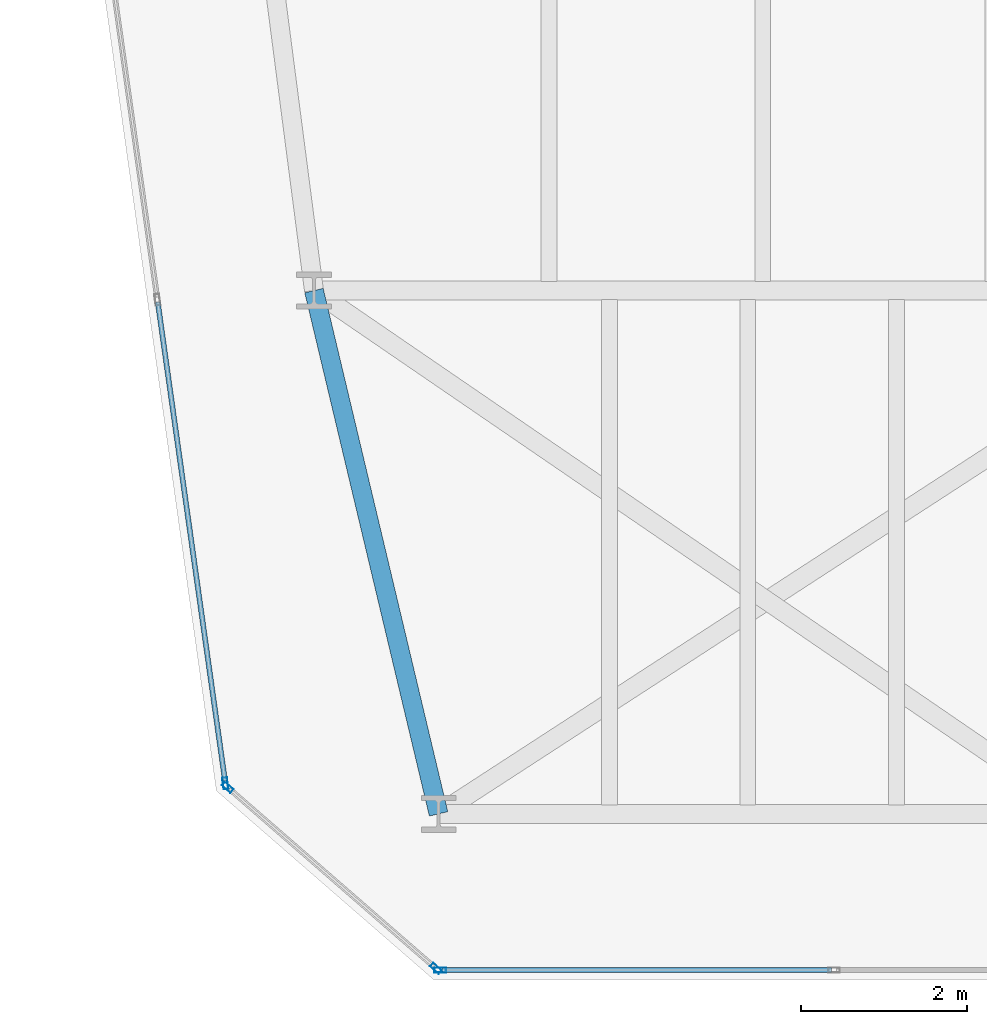
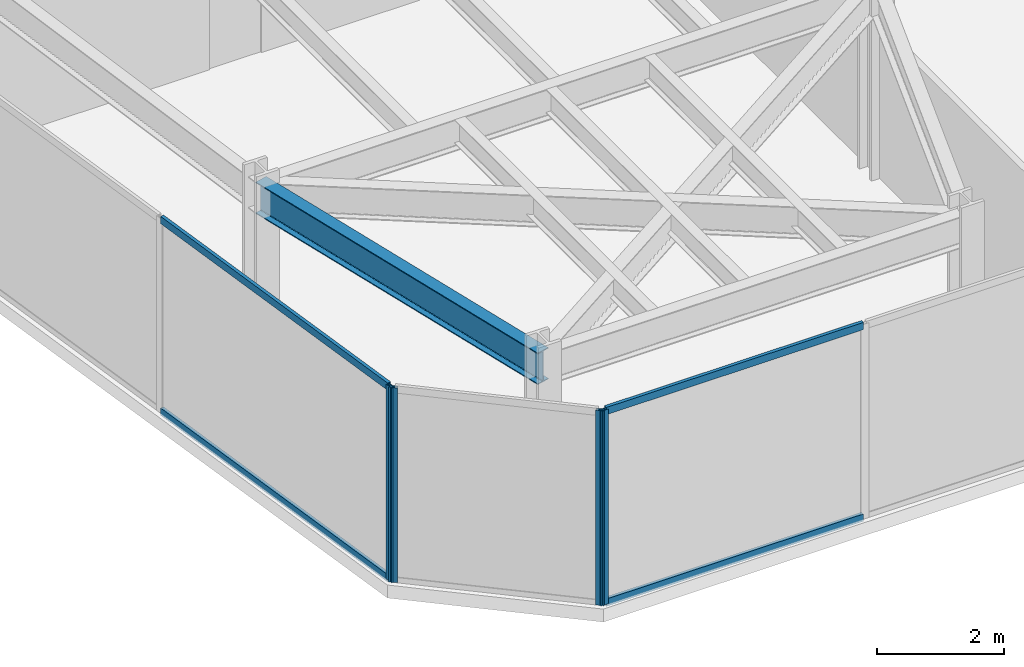
# One storey, part 2 of 26: 8 members, 1 beam, 3 elements without a shape of their own.
"""IFC4 building model written with IfcOpenShell, lengths in metres."""

import ifcopenshell
import ifcopenshell.guid

model = None  # the IFC model being written
_history = None  # IfcOwnerHistory: only IFC2X3 demands one
_inside = {}  # id of a spatial element -> (the spatial element, [elements in it])
_under = {}  # id of a project, library or spatial element -> (it, [spatial elements below it])
_declared = {}  # id of a project -> (the project, [libraries it declares])
_typed = {}  # id of a type object -> (the type object, [elements of that type])
_made_of = {}  # id of a material, layer set ... -> (it, [elements and type objects made of it])


def new_model(schema):
    """Start an empty IFC model of exactly this schema.

    Asked for "IFC4X3", IfcOpenShell would pick the latest addendum, in which some entities
    have other attributes; the version numbers below select the first issue.
    IFC2X3 requires an IfcOwnerHistory on every rooted entity: one is made here for all.
    """
    global model, _history
    if schema == "IFC4X3":
        model = ifcopenshell.file(schema_version=(4, 3, 0, 0))
    else:
        model = ifcopenshell.file(schema=schema)
    _inside.clear()
    _under.clear()
    _declared.clear()
    _typed.clear()
    _made_of.clear()
    _history = None
    if model.schema == "IFC2X3":
        org = make("IfcOrganization", Name="unknown")
        user = make(
            "IfcPersonAndOrganization",
            ThePerson=make("IfcPerson", FamilyName="unknown"),
            TheOrganization=org,
        )
        app = make(
            "IfcApplication",
            ApplicationDeveloper=org,
            Version="unknown",
            ApplicationFullName="unknown",
            ApplicationIdentifier="unknown",
        )
        _history = make(
            "IfcOwnerHistory",
            OwningUser=user,
            OwningApplication=app,
            ChangeAction="ADDED",
            CreationDate=0,
        )
    return model


def make(cls, **values):
    """One entity of the class cls with the attributes given. An attribute that is None is left unset."""
    return model.create_entity(
        cls, **{name: value for name, value in values.items() if value is not None}
    )


def rooted(cls, **values):
    """An entity with a GlobalId (a new one), such as an element, a storey or a relation."""
    return make(cls, GlobalId=ifcopenshell.guid.new(), OwnerHistory=_history, **values)


def si_unit(unit_type, name, prefix=None):
    """IfcSIUnit, for example si_unit("LENGTHUNIT", "METRE", prefix="MILLI")."""
    return make("IfcSIUnit", UnitType=unit_type, Prefix=prefix, Name=name)


def assignment(units):
    """IfcUnitAssignment: the units of a project."""
    return None if units is None else make("IfcUnitAssignment", Units=units)


def point(xyz):
    """IfcCartesianPoint."""
    return None if xyz is None else make("IfcCartesianPoint", Coordinates=xyz)


def direction(xyz):
    """IfcDirection."""
    return None if xyz is None else make("IfcDirection", DirectionRatios=xyz)


def frame(location, z_axis=None, x_axis=None):
    """IfcAxis2Placement3D, a coordinate frame: its origin and axes. An axis left out is left unset."""
    return make(
        "IfcAxis2Placement3D",
        Location=point(location),
        Axis=direction(z_axis),
        RefDirection=direction(x_axis),
    )


def frame_2d(location, x_axis=None):
    """IfcAxis2Placement2D, a coordinate frame in the plane: its origin and x axis."""
    return make(
        "IfcAxis2Placement2D", Location=point(location), RefDirection=direction(x_axis)
    )


def origin():
    """The frame at (0, 0, 0) with its axes left unset."""
    return frame((0.0, 0.0, 0.0))


def origin_2d():
    """The frame at (0, 0) in the plane with its x axis left unset."""
    return frame_2d((0.0, 0.0))


def place(relative_to, where):
    """IfcLocalPlacement: puts the frame where relative to a parent placement (None: the world)."""
    return make(
        "IfcLocalPlacement", PlacementRelTo=relative_to, RelativePlacement=where
    )


def context(
    kind, dimensions, precision=None, world=None, true_north=None, identifier=None
):
    """IfcGeometricRepresentationContext, for example the 3D "Model" context."""
    return make(
        "IfcGeometricRepresentationContext",
        ContextIdentifier=identifier,
        ContextType=kind,
        CoordinateSpaceDimension=dimensions,
        Precision=precision,
        WorldCoordinateSystem=world,
        TrueNorth=true_north,
    )


def subcontext(parent, identifier, kind, view, scale=None):
    """IfcGeometricRepresentationSubContext, for example "Body" below "Model"."""
    return make(
        "IfcGeometricRepresentationSubContext",
        ContextIdentifier=identifier,
        ContextType=kind,
        ParentContext=parent,
        TargetScale=scale,
        TargetView=view,
    )


def project(units=None, contexts=None):
    """IfcProject with its units and contexts."""
    return rooted(
        "IfcProject",
        Name="project",
        RepresentationContexts=contexts,
        UnitsInContext=assignment(units),
    )


def spatial(cls, under=None, at=None, **own):
    """A site, building, storey or space (cls), placed at a placement, below another one or the project."""
    s = rooted(cls, ObjectPlacement=at, **own)
    if under is not None:
        _under.setdefault(under.id(), (under, []))[1].append(s)
    return s


def profile(cls, at=None, kind="AREA", **sizes):
    """A parametric profile (cls). Its sizes go by their IFC names, for example OverallWidth=200.0."""
    return make(cls, ProfileType=kind, Position=at, **sizes)


def hollow_rectangle(**sizes):
    """IfcRectangleHollowProfileDef."""
    return profile("IfcRectangleHollowProfileDef", **sizes)


def i_section(**sizes):
    """IfcIShapeProfileDef."""
    return profile("IfcIShapeProfileDef", **sizes)


def extrude(swept, where, along, depth):
    """IfcExtrudedAreaSolid: the profile swept, set in the frame where, extruded along a direction by depth."""
    return make(
        "IfcExtrudedAreaSolid",
        SweptArea=swept,
        Position=where,
        ExtrudedDirection=direction(along),
        Depth=depth,
    )


def shape(context_of_items, identifier, shape_type, items):
    """IfcShapeRepresentation: the items that make up one representation, for example the "Body"."""
    return make(
        "IfcShapeRepresentation",
        ContextOfItems=context_of_items,
        RepresentationIdentifier=identifier,
        RepresentationType=shape_type,
        Items=items,
    )


def material(Name=None, Category=None):
    """IfcMaterial."""
    return make("IfcMaterial", Name=Name, Category=Category)


def layer(
    of_material, thickness, ventilated=None, Name=None, Category=None, Priority=None
):
    """IfcMaterialLayer: one layer of a wall or slab, of a material (None: an air gap)."""
    return make(
        "IfcMaterialLayer",
        Material=of_material,
        LayerThickness=thickness,
        IsVentilated=ventilated,
        Name=Name,
        Category=Category,
        Priority=Priority,
    )


def layer_set(layers, Name=None):
    """IfcMaterialLayerSet."""
    return make("IfcMaterialLayerSet", MaterialLayers=layers, LayerSetName=Name)


def material_profile(
    of_material, cross_section, Name=None, Category=None, Priority=None
):
    """IfcMaterialProfile: a cross section and its material."""
    return make(
        "IfcMaterialProfile",
        Name=Name,
        Material=of_material,
        Profile=cross_section,
        Priority=Priority,
        Category=Category,
    )


def profile_set(profiles, Name=None, composite=None):
    """IfcMaterialProfileSet."""
    return make(
        "IfcMaterialProfileSet",
        Name=Name,
        MaterialProfiles=profiles,
        CompositeProfile=composite,
    )


def made_of(thing, what):
    """Note that an element or type object is made of a material, layer set ...; save() writes the relation."""
    if what is not None:
        _made_of.setdefault(what.id(), (what, []))[1].append(thing)
    return thing


def type_object(cls, material=None, **own):
    """A type object (cls), such as IfcWallType, which elements share."""
    return made_of(rooted(cls, **own), material)


def element(
    cls,
    number,
    at=None,
    inside=None,
    cuts=None,
    type_object=None,
    material=None,
    context=None,
    identifier="Body",
    shape_type=None,
    held_by="IfcProductDefinitionShape",
    body=None,
    shapes=None,
    **own,
):
    """One element of the class cls, such as IfcWall. Its Tag is "e" and its number.

    at: its placement. inside: the storey or other place that contains it. cuts: it is an
    opening in that element (IfcRelVoidsElement). A single representation is given by context,
    identifier, shape_type and body (its items); several are given by shapes. held_by: the class
    of the entity that holds the representations. save() writes the other relations.
    """
    e = rooted(cls, Tag="e%d" % number, ObjectPlacement=at, **own)
    if body is not None:
        shapes = [shape(context, identifier, shape_type, body)]
    if shapes is not None:
        e.Representation = make(held_by, Representations=shapes)
    if inside is not None:
        _inside.setdefault(inside.id(), (inside, []))[1].append(e)
    if cuts is not None:
        rooted(
            "IfcRelVoidsElement", RelatingBuildingElement=cuts, RelatedOpeningElement=e
        )
    if type_object is not None:
        _typed.setdefault(type_object.id(), (type_object, []))[1].append(e)
    return made_of(e, material)


def aggregate(whole, parts):
    """IfcRelAggregates: a whole, such as a stair, and the parts it consists of."""
    return rooted("IfcRelAggregates", RelatingObject=whole, RelatedObjects=parts)


def save(model, path):
    """Write the relations noted so far, then the file.

    IfcRelAggregates (storeys below a building ...), IfcRelContainedInSpatialStructure (elements
    in a storey), IfcRelDefinesByType, IfcRelAssociatesMaterial and IfcRelDeclares: one each for
    every whole, place, type object, material and project.
    """
    for whole, parts in _under.values():
        aggregate(whole, parts)
    for where, things in _inside.values():
        rooted(
            "IfcRelContainedInSpatialStructure",
            RelatedElements=things,
            RelatingStructure=where,
        )
    for kind, things in _typed.values():
        rooted("IfcRelDefinesByType", RelatedObjects=things, RelatingType=kind)
    for what, things in _made_of.values():
        rooted("IfcRelAssociatesMaterial", RelatedObjects=things, RelatingMaterial=what)
    for by, libraries in _declared.values():
        rooted("IfcRelDeclares", RelatingContext=by, RelatedDefinitions=libraries)
    model.write(path)


model = new_model("IFC4")

# Units and contexts
model_context = context("Model", 3, precision=1e-05, world=origin(), true_north=direction((0.0, 1.0)))
body_context = subcontext(model_context, "Body", "Model", "MODEL_VIEW")
ifc_project = project(units=[si_unit("LENGTHUNIT", "METRE"), si_unit("AREAUNIT", "SQUARE_METRE"), si_unit("VOLUMEUNIT", "CUBIC_METRE"), si_unit("PLANEANGLEUNIT", "RADIAN"), si_unit("MASSUNIT", "GRAM", prefix="KILO")], contexts=[model_context])

# Site, building, storey
site_placement = place(None, origin())
site = spatial("IfcSite", under=ifc_project, at=site_placement, CompositionType="ELEMENT")
building_placement = place(site_placement, origin())
building = spatial("IfcBuilding", under=site, at=building_placement, Name="Kravanh Interchange Tower", CompositionType="ELEMENT")
storey_placement = place(building_placement, frame((0.0, 0.0, 144.0)))
storey = spatial("IfcBuildingStorey", under=building, at=storey_placement, Name="L34", CompositionType="ELEMENT", Elevation=144.0)

# Curtain wall, member
ifc_material_1 = material(Name="Anodised Bronze Aluminium", Category="aluminium")
ifc_layer = layer(ifc_material_1, 0.179931640625)
ifc_layer_set = layer_set([ifc_layer], Name="Unitised Curtain Wall System CW-Z2 Mid Office")
curtain_wall_type = type_object("IfcCurtainWallType", Name="Unitised Curtain Wall System CW-Z2 Mid Office", PredefinedType="NOTDEFINED", material=ifc_layer_set)
curtain_wall_1_placement = place(storey_placement, origin())
curtain_wall_1 = element("IfcCurtainWall", 1, at=curtain_wall_1_placement, inside=storey, type_object=curtain_wall_type, Name="L34 Unitised Curtain Wall CW-L34-01", PredefinedType="NOTDEFINED")
ifc_material_2 = material(Name="Anodised Bronze Aluminium", Category="aluminium")
ifc_material_profile_1 = material_profile(ifc_material_2, hollow_rectangle(XDim=0.06005859375, YDim=0.139892578125, WallThickness=0.00390625, at=origin_2d()), Name="ALU60X140X4")
ifc_profile_set_1 = profile_set([ifc_material_profile_1], Name="Anodised Bronze Aluminium")
member_type_1 = type_object("IfcMemberType", Name="Curtain Wall Mullion ALU60X140X4 Bronze", PredefinedType="MULLION", material=ifc_profile_set_1)
member_1_placement = place(storey_placement, frame((14.93310546875, 8.568359375, 0.0), z_axis=(0.0, 0.0, 1.0), x_axis=(-0.990268103846, -0.13917285118, 0.0)))
member_1 = element("IfcMember", 2, at=member_1_placement, type_object=member_type_1, Name="CW-Z2 mullion 1", PredefinedType="MULLION", context=body_context, shape_type="SweptSolid", body=[
    extrude(hollow_rectangle(XDim=0.06005859375, YDim=0.139892578125, WallThickness=0.00390625, at=origin_2d()), origin(), (0.0, 0.0, 1.0), 3.75),
])

curtain_wall_2_placement = place(storey_placement, origin())
curtain_wall_2 = element("IfcCurtainWall", 3, at=curtain_wall_2_placement, inside=storey, type_object=curtain_wall_type, Name="L34 Unitised Curtain Wall CW-L34-06", PredefinedType="NOTDEFINED")
member_2_placement = place(storey_placement, frame((17.519775390625, 6.320068359375, 0.0), z_axis=(0.0, 0.0, 1.0), x_axis=(0.0, -1.0, 0.0)))
member_2 = element("IfcMember", 4, at=member_2_placement, type_object=member_type_1, Name="CW-Z2 mullion 3", PredefinedType="MULLION", context=body_context, shape_type="SweptSolid", body=[
    extrude(hollow_rectangle(XDim=0.06005859375, YDim=0.139892578125, WallThickness=0.00390625, at=origin_2d()), origin(), (0.0, 0.0, 1.0), 3.75),
])

# Curtain wall, members
curtain_wall_3_placement = place(storey_placement, origin())
curtain_wall_3 = element("IfcCurtainWall", 5, at=curtain_wall_3_placement, inside=storey, type_object=curtain_wall_type, Name="L34 Unitised Curtain Wall CW-L34-07", PredefinedType="NOTDEFINED")
member_3_placement = place(storey_placement, frame((17.467041015625, 6.339599609375, 0.0), z_axis=(0.0, 0.0, 1.0), x_axis=(-0.656047665617, -0.754719458103, 0.0)))
member_3 = element("IfcMember", 6, at=member_3_placement, type_object=member_type_1, Name="CW-Z2 mullion 1", PredefinedType="MULLION", context=body_context, shape_type="SweptSolid", body=[
    extrude(hollow_rectangle(XDim=0.06005859375, YDim=0.139892578125, WallThickness=0.00390625, at=origin_2d()), origin(), (0.0, 0.0, 1.0), 3.75),
])
member_4_placement = place(storey_placement, frame((14.9599609375, 8.51904296875, 0.0), z_axis=(0.0, 0.0, 1.0), x_axis=(-0.656047665617, -0.754719458103, 0.0)))
member_4 = element("IfcMember", 7, at=member_4_placement, type_object=member_type_1, Name="CW-Z2 mullion 2", PredefinedType="MULLION", context=body_context, shape_type="SweptSolid", body=[
    extrude(hollow_rectangle(XDim=0.06005859375, YDim=0.139892578125, WallThickness=0.00390625, at=origin_2d()), origin(), (0.0, 0.0, 1.0), 3.75),
])
aggregate(curtain_wall_3, [member_3, member_4])

# Member
ifc_material_3 = material(Name="Anodised Bronze Aluminium", Category="aluminium")
ifc_material_profile_2 = material_profile(ifc_material_3, hollow_rectangle(XDim=0.06005859375, YDim=0.139892578125, WallThickness=0.00390625, at=origin_2d()), Name="ALU60X140X4")
ifc_profile_set_2 = profile_set([ifc_material_profile_2], Name="Anodised Bronze Aluminium")
member_type_2 = type_object("IfcMemberType", Name="Curtain Wall Transom ALU60X140X4 Bronze", PredefinedType="USERDEFINED", material=ifc_profile_set_2)
member_5_placement = place(storey_placement, frame((14.928955078125, 8.59814453125, 0.030029296875), z_axis=(-0.139148132783, 0.990271577469, 0.0), x_axis=(-0.990271577469, -0.139148132783, 0.0)))
member_5 = element("IfcMember", 8, at=member_5_placement, type_object=member_type_2, Name="CW-Z2 transom 1.1", ObjectType="TRANSOM", PredefinedType="USERDEFINED", context=body_context, shape_type="SweptSolid", body=[
    extrude(hollow_rectangle(XDim=0.06005859375, YDim=0.139892578125, WallThickness=0.00390625, at=origin_2d()), origin(), (0.0, 0.0, 1.0), 5.81982421875),
])

member_6_placement = place(storey_placement, frame((14.928955078125, 8.59814453125, 3.719970703125), z_axis=(-0.139148132783, 0.990271577469, 0.0), x_axis=(-0.990271577469, -0.139148132783, 0.0)))
member_6 = element("IfcMember", 9, at=member_6_placement, type_object=member_type_2, Name="CW-Z2 transom 1.2", ObjectType="TRANSOM", PredefinedType="USERDEFINED", context=body_context, shape_type="SweptSolid", body=[
    extrude(hollow_rectangle(XDim=0.06005859375, YDim=0.139892578125, WallThickness=0.00390625, at=origin_2d()), origin(), (0.0, 0.0, 1.0), 5.81982421875),
])

aggregate(curtain_wall_1, [member_1, member_5, member_6])

member_7_placement = place(storey_placement, frame((22.232177734375, 6.320068359375, 0.030029296875), z_axis=(-1.0, 0.0, 0.0), x_axis=(0.0, -1.0, 0.0)))
member_7 = element("IfcMember", 10, at=member_7_placement, type_object=member_type_2, Name="CW-Z2 transom 2.1", ObjectType="TRANSOM", PredefinedType="USERDEFINED", context=body_context, shape_type="SweptSolid", body=[
    extrude(hollow_rectangle(XDim=0.06005859375, YDim=0.139892578125, WallThickness=0.00390625, at=origin_2d()), origin(), (0.0, 0.0, 1.0), 4.682373046875),
])

member_8_placement = place(storey_placement, frame((22.232177734375, 6.320068359375, 3.719970703125), z_axis=(-1.0, 0.0, 0.0), x_axis=(0.0, -1.0, 0.0)))
member_8 = element("IfcMember", 11, at=member_8_placement, type_object=member_type_2, Name="CW-Z2 transom 2.2", ObjectType="TRANSOM", PredefinedType="USERDEFINED", context=body_context, shape_type="SweptSolid", body=[
    extrude(hollow_rectangle(XDim=0.06005859375, YDim=0.139892578125, WallThickness=0.00390625, at=origin_2d()), origin(), (0.0, 0.0, 1.0), 4.682373046875),
])

aggregate(curtain_wall_2, [member_2, member_7, member_8])

# Beam
ifc_material_4 = material(Name="Structural Steel S355", Category="steel")
ifc_material_profile_3 = material_profile(ifc_material_4, i_section(OverallWidth=0.22802734375, OverallDepth=0.60791015625, WebThickness=0.01123046875, FlangeThickness=0.017333984375, FilletRadius=0.02197265625, at=origin_2d()), Name="W24X76")
ifc_profile_set_3 = profile_set([ifc_material_profile_3], Name="Structural Steel S355")
beam_type = type_object("IfcBeamType", Name="Floor Spandrel W24X76 Structural Steel S355", PredefinedType="SPANDREL", material=ifc_profile_set_3)
beam_placement = place(storey_placement, frame((17.5, 8.199951171875, 3.446044921875), z_axis=(-0.231618828452, 0.972806619173, 0.0), x_axis=(-0.972806619173, -0.231618828452, 0.0)))
element("IfcBeam", 12, at=beam_placement, inside=storey, type_object=beam_type, Name="L34 Perimeter Spandrel 34", PredefinedType="SPANDREL", context=body_context, shape_type="SweptSolid", body=[
    extrude(i_section(OverallWidth=0.22802734375, OverallDepth=0.60791015625, WebThickness=0.01123046875, FlangeThickness=0.017333984375, FilletRadius=0.02197265625, at=origin_2d()), origin(), (0.0, 0.0, 1.0), 6.47607421875),
])

save(model, "model.ifc")
